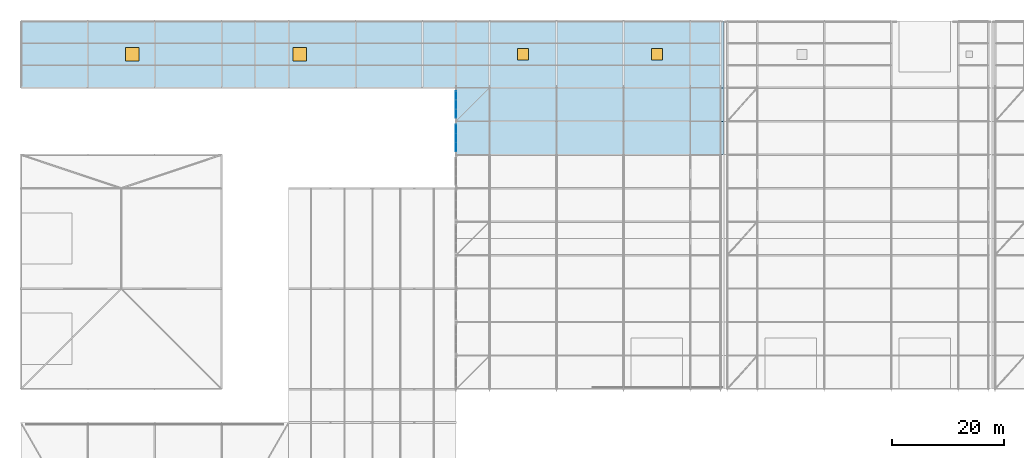
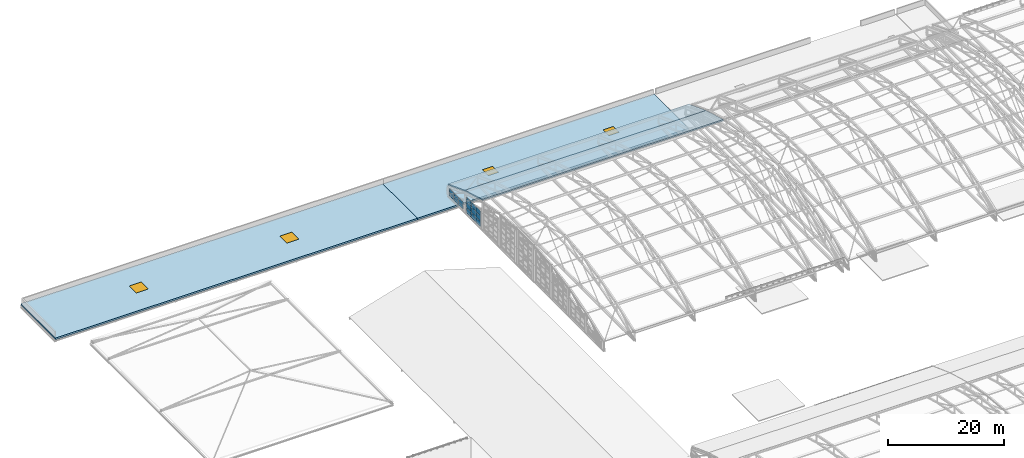
"""IFC4 building model written with IfcOpenShell, lengths in metres."""

from ifc_helpers import new_model, si_unit, direction, frame, origin, origin_2d, place, context, subcontext, project, spatial, polyline, rectangle, outline, extrude, material, layer, layer_set, type_object, element, fill, aggregate, save


model = new_model("IFC4")

# Units and contexts
model_context = context("Model", 3, precision=1e-05, world=origin(), true_north=direction((0.0, 1.0)))
body_context = subcontext(model_context, "Body", "Model", "MODEL_VIEW")
ifc_project = project(units=[si_unit("LENGTHUNIT", "METRE"), si_unit("AREAUNIT", "SQUARE_METRE"), si_unit("VOLUMEUNIT", "CUBIC_METRE"), si_unit("PLANEANGLEUNIT", "RADIAN"), si_unit("MASSUNIT", "GRAM", prefix="KILO")], contexts=[model_context])

# Site, building, storey
site_placement = place(None, origin())
site = spatial("IfcSite", under=ifc_project, at=site_placement, CompositionType="ELEMENT")
building_placement = place(site_placement, origin())
building = spatial("IfcBuilding", under=site, at=building_placement, Name="Zilviju Railside Exhibition Hall", CompositionType="ELEMENT")
storey_1_placement = place(building_placement, frame((0.0, 0.0, 21.0)))
storey_1 = spatial("IfcBuildingStorey", under=building, at=storey_1_placement, Name="RF", CompositionType="ELEMENT", Elevation=21.0)

# Curtain wall, plates
ifc_material_1 = material(Name="Thermally broken aluminium-steel triple-glazed curtain wall", Category="steel")
ifc_layer_1 = layer(ifc_material_1, 0.179931640625)
ifc_layer_set_1 = layer_set([ifc_layer_1], Name="Thermally broken aluminium-steel triple-glazed curtain wall")
curtain_wall_type_1 = type_object("IfcCurtainWallType", Name="CW-BAY-06", PredefinedType="USERDEFINED", material=ifc_layer_set_1)
curtain_wall_1_placement = place(storey_1_placement, origin())
curtain_wall_1 = element("IfcCurtainWall", 1, at=curtain_wall_1_placement, inside=storey_1, type_object=curtain_wall_type_1, Name="North Hall Arch Lower Tympanum Glazing West P8", ObjectType="GLAZED CURTAIN WALL", PredefinedType="USERDEFINED")
ifc_material_2 = material(Name="Triple-glazed low-E argon insulating glass unit", Category="glass")
ifc_layer_2 = layer(ifc_material_2, 0.0439453125)
ifc_layer_set_2 = layer_set([ifc_layer_2], Name="Triple-glazed low-E argon insulating glass unit")
plate_type = type_object("IfcPlateType", Name="CWP-IGU-44", PredefinedType="CURTAIN_PANEL", material=ifc_layer_set_2)
plate_1_placement = place(storey_1_placement, frame((78.0, 127.38037109375, -3.544921875), z_axis=(0.0, 0.0, 1.0), x_axis=(0.0, 1.0, 0.0)))
plate_1 = element("IfcPlate", 2, at=plate_1_placement, type_object=plate_type, Name="CW-06 panel 1.1", PredefinedType="CURTAIN_PANEL", context=body_context, shape_type="SweptSolid", body=[
    extrude(rectangle(XDim=1.55078125, YDim=0.0439453125, at=origin_2d()), origin(), (0.0, 0.0, 1.0), 1.050537109375),
])
plate_2_placement = place(storey_1_placement, frame((78.0, 127.38037109375, -2.439453125), z_axis=(0.0, 0.0, 1.0), x_axis=(0.0, 1.0, 0.0)))
plate_2 = element("IfcPlate", 3, at=plate_2_placement, type_object=plate_type, Name="CW-06 panel 1.2", PredefinedType="CURTAIN_PANEL", context=body_context, shape_type="SweptSolid", body=[
    extrude(rectangle(XDim=1.55078125, YDim=0.0439453125, at=origin_2d()), origin(), (0.0, 0.0, 1.0), 1.0791015625),
])
plate_3_placement = place(storey_1_placement, frame((78.0, 127.38037109375, -1.3056640625), z_axis=(0.0, 0.0, 1.0), x_axis=(0.0, 1.0, 0.0)))
plate_3 = element("IfcPlate", 4, at=plate_3_placement, type_object=plate_type, Name="CW-06 panel 1.3", PredefinedType="CURTAIN_PANEL", context=body_context, shape_type="SweptSolid", body=[
    extrude(rectangle(XDim=1.55078125, YDim=0.0439453125, at=origin_2d()), origin(), (0.0, 0.0, 1.0), 1.050537109375),
])
plate_4_placement = place(storey_1_placement, frame((78.0, 129.0, -3.544921875), z_axis=(0.0, 0.0, 1.0), x_axis=(0.0, 1.0, 0.0)))
plate_4 = element("IfcPlate", 5, at=plate_4_placement, type_object=plate_type, Name="CW-06 panel 2.1", PredefinedType="CURTAIN_PANEL", context=body_context, shape_type="SweptSolid", body=[
    extrude(rectangle(XDim=1.578369140625, YDim=0.0439453125, at=origin_2d()), origin(), (0.0, 0.0, 1.0), 1.050537109375),
])
plate_5_placement = place(storey_1_placement, frame((78.0, 129.0, -2.439453125), z_axis=(0.0, 0.0, 1.0), x_axis=(0.0, 1.0, 0.0)))
plate_5 = element("IfcPlate", 6, at=plate_5_placement, type_object=plate_type, Name="CW-06 panel 2.2", PredefinedType="CURTAIN_PANEL", context=body_context, shape_type="SweptSolid", body=[
    extrude(rectangle(XDim=1.578369140625, YDim=0.0439453125, at=origin_2d()), origin(), (0.0, 0.0, 1.0), 1.0791015625),
])
plate_6_placement = place(storey_1_placement, frame((78.0, 129.0, -1.3056640625), z_axis=(0.0, 0.0, 1.0), x_axis=(0.0, 1.0, 0.0)))
plate_6 = element("IfcPlate", 7, at=plate_6_placement, type_object=plate_type, Name="CW-06 panel 2.3", PredefinedType="CURTAIN_PANEL", context=body_context, shape_type="SweptSolid", body=[
    extrude(rectangle(XDim=1.578369140625, YDim=0.0439453125, at=origin_2d()), origin(), (0.0, 0.0, 1.0), 1.050537109375),
])
plate_7_placement = place(storey_1_placement, frame((78.0, 130.61962890625, -3.544921875), z_axis=(0.0, 0.0, 1.0), x_axis=(0.0, 1.0, 0.0)))
plate_7 = element("IfcPlate", 8, at=plate_7_placement, type_object=plate_type, Name="CW-06 panel 3.1", PredefinedType="CURTAIN_PANEL", context=body_context, shape_type="SweptSolid", body=[
    extrude(rectangle(XDim=1.55078125, YDim=0.0439453125, at=origin_2d()), origin(), (0.0, 0.0, 1.0), 1.050537109375),
])
plate_8_placement = place(storey_1_placement, frame((78.0, 130.61962890625, -2.439453125), z_axis=(0.0, 0.0, 1.0), x_axis=(0.0, 1.0, 0.0)))
plate_8 = element("IfcPlate", 9, at=plate_8_placement, type_object=plate_type, Name="CW-06 panel 3.2", PredefinedType="CURTAIN_PANEL", context=body_context, shape_type="SweptSolid", body=[
    extrude(rectangle(XDim=1.55078125, YDim=0.0439453125, at=origin_2d()), origin(), (0.0, 0.0, 1.0), 1.0791015625),
])
plate_9_placement = place(storey_1_placement, frame((78.0, 130.61962890625, -1.3056640625), z_axis=(0.0, 0.0, 1.0), x_axis=(0.0, 1.0, 0.0)))
plate_9 = element("IfcPlate", 10, at=plate_9_placement, type_object=plate_type, Name="CW-06 panel 3.3", PredefinedType="CURTAIN_PANEL", context=body_context, shape_type="SweptSolid", body=[
    extrude(rectangle(XDim=1.55078125, YDim=0.0439453125, at=origin_2d()), origin(), (0.0, 0.0, 1.0), 1.050537109375),
])
aggregate(curtain_wall_1, [plate_1, plate_2, plate_3, plate_4, plate_5, plate_6, plate_7, plate_8, plate_9])

ifc_layer_3 = layer(ifc_material_1, 0.179931640625)
ifc_layer_set_3 = layer_set([ifc_layer_3], Name="Thermally broken aluminium-steel triple-glazed curtain wall")
curtain_wall_type_2 = type_object("IfcCurtainWallType", Name="CW-BAY-07", PredefinedType="USERDEFINED", material=ifc_layer_set_3)
curtain_wall_2_placement = place(storey_1_placement, origin())
curtain_wall_2 = element("IfcCurtainWall", 11, at=curtain_wall_2_placement, inside=storey_1, type_object=curtain_wall_type_2, Name="North Hall Arch Lower Tympanum Glazing West P9", ObjectType="GLAZED CURTAIN WALL", PredefinedType="USERDEFINED")
plate_10_placement = place(storey_1_placement, frame((78.0, 133.38427734375, -3.5302734375), z_axis=(0.0, 0.0, 1.0), x_axis=(0.0, 1.0, 0.0)))
plate_10 = element("IfcPlate", 12, at=plate_10_placement, type_object=plate_type, Name="CW-07 panel 1.1", PredefinedType="CURTAIN_PANEL", context=body_context, shape_type="SweptSolid", body=[
    extrude(rectangle(XDim=1.5283203125, YDim=0.0439453125, at=origin_2d()), origin(), (0.0, 0.0, 1.0), 0.695068359375),
])
plate_11_placement = place(storey_1_placement, frame((78.0, 133.38427734375, -2.76513671875), z_axis=(0.0, 0.0, 1.0), x_axis=(0.0, 1.0, 0.0)))
plate_11 = element("IfcPlate", 13, at=plate_11_placement, type_object=plate_type, Name="CW-07 panel 1.2", PredefinedType="CURTAIN_PANEL", context=body_context, shape_type="SweptSolid", body=[
    extrude(rectangle(XDim=1.5283203125, YDim=0.0439453125, at=origin_2d()), origin(), (0.0, 0.0, 1.0), 0.695068359375),
])
plate_12_placement = place(storey_1_placement, frame((78.0, 135.0, -3.5302734375), z_axis=(0.0, 0.0, 1.0), x_axis=(0.0, 1.0, 0.0)))
plate_12 = element("IfcPlate", 14, at=plate_12_placement, type_object=plate_type, Name="CW-07 panel 2.1", PredefinedType="CURTAIN_PANEL", context=body_context, shape_type="SweptSolid", body=[
    extrude(rectangle(XDim=1.563232421875, YDim=0.0439453125, at=origin_2d()), origin(), (0.0, 0.0, 1.0), 0.695068359375),
])
plate_13_placement = place(storey_1_placement, frame((78.0, 135.0, -2.76513671875), z_axis=(0.0, 0.0, 1.0), x_axis=(0.0, 1.0, 0.0)))
plate_13 = element("IfcPlate", 15, at=plate_13_placement, type_object=plate_type, Name="CW-07 panel 2.2", PredefinedType="CURTAIN_PANEL", context=body_context, shape_type="SweptSolid", body=[
    extrude(rectangle(XDim=1.563232421875, YDim=0.0439453125, at=origin_2d()), origin(), (0.0, 0.0, 1.0), 0.695068359375),
])
plate_14_placement = place(storey_1_placement, frame((78.0, 136.61572265625, -3.5302734375), z_axis=(0.0, 0.0, 1.0), x_axis=(0.0, 1.0, 0.0)))
plate_14 = element("IfcPlate", 16, at=plate_14_placement, type_object=plate_type, Name="CW-07 panel 3.1", PredefinedType="CURTAIN_PANEL", context=body_context, shape_type="SweptSolid", body=[
    extrude(rectangle(XDim=1.5283203125, YDim=0.0439453125, at=origin_2d()), origin(), (0.0, 0.0, 1.0), 0.695068359375),
])
plate_15_placement = place(storey_1_placement, frame((78.0, 136.61572265625, -2.76513671875), z_axis=(0.0, 0.0, 1.0), x_axis=(0.0, 1.0, 0.0)))
plate_15 = element("IfcPlate", 17, at=plate_15_placement, type_object=plate_type, Name="CW-07 panel 3.2", PredefinedType="CURTAIN_PANEL", context=body_context, shape_type="SweptSolid", body=[
    extrude(rectangle(XDim=1.5283203125, YDim=0.0439453125, at=origin_2d()), origin(), (0.0, 0.0, 1.0), 0.695068359375),
])
aggregate(curtain_wall_2, [plate_10, plate_11, plate_12, plate_13, plate_14, plate_15])

# Slab, openings
ifc_material_3 = material(Name="Concrete C40/50", Category="concrete")
ifc_layer_4 = layer(ifc_material_3, 0.35009765625)
ifc_layer_set_4 = layer_set([ifc_layer_4], Name="Concrete C40/50")
slab_type_1 = type_object("IfcSlabType", Name="SL-RG-350", PredefinedType="ROOF", material=ifc_layer_set_4)
slab_1_placement = place(storey_1_placement, frame((0.0, 0.0, -6.949951171875)))
slab_1 = element("IfcSlab", 18, at=slab_1_placement, inside=storey_1, type_object=slab_type_1, Name="Logistics Wing Acoustic Green Roof Panel 1", PredefinedType="ROOF", context=body_context, shape_type="SweptSolid", body=[
    extrude(outline(polyline([(0.0, 138.0), (72.0, 138.0), (72.0, 150.0), (0.0, 150.0), (0.0, 138.0)])), origin(), (0.0, 0.0, 1.0), 0.349853515625),
])
opening_1_placement = place(slab_1_placement, frame((20.0, 144.0, 0.0)))
opening_1 = element("IfcOpeningElement", 19, at=opening_1_placement, cuts=slab_1, Name="Opening SK-01", PredefinedType="OPENING", context=body_context, shape_type="SweptSolid", body=[
    extrude(rectangle(XDim=2.39990234375, YDim=2.39990234375, at=origin_2d()), frame((0.0, 0.0, -0.010009765625)), (0.0, 0.0, 1.0), 0.369873046875),
])
opening_2_placement = place(slab_1_placement, frame((50.0, 144.0, 0.0)))
opening_2 = element("IfcOpeningElement", 20, at=opening_2_placement, cuts=slab_1, Name="Opening SK-01", PredefinedType="OPENING", context=body_context, shape_type="SweptSolid", body=[
    extrude(rectangle(XDim=2.39990234375, YDim=2.39990234375, at=origin_2d()), frame((0.0, 0.0, -0.010009765625)), (0.0, 0.0, 1.0), 0.369873046875),
])

# Storey
storey_2_placement = place(building_placement, frame((0.0, 0.0, 8.39990234375)))
storey_2 = spatial("IfcBuildingStorey", under=building, at=storey_2_placement, Name="L03", CompositionType="ELEMENT", Elevation=8.39990234375)

# Window
ifc_material_4 = material(Name="Triple-glazed timber-aluminium window unit", Category="wood")
window_type_1 = type_object("IfcWindowType", Name="SKY-SV-240x240", PartitioningType="TRIPLE_PANEL_VERTICAL", PredefinedType="SKYLIGHT", material=ifc_material_4)
window_1_placement = place(opening_1_placement, frame((0.0, 0.0, 0.289794921875)))
window_1 = element("IfcWindow", 21, at=window_1_placement, inside=storey_2, type_object=window_type_1, Name="Truck Ramp Smoke Exhaust Hatch SV-01", OverallHeight=2.39990234375, OverallWidth=2.39990234375, PartitioningType="SINGLE_PANEL", PredefinedType="SKYLIGHT", context=body_context, shape_type="SweptSolid", body=[
    extrude(rectangle(XDim=2.39990234375, YDim=2.39990234375, at=origin_2d()), origin(), (0.0, 0.0, 1.0), 0.06005859375),
])

fill(opening_1, window_1)

window_2_placement = place(opening_2_placement, frame((0.0, 0.0, 0.289794921875)))
window_2 = element("IfcWindow", 22, at=window_2_placement, inside=storey_2, type_object=window_type_1, Name="Truck Ramp Smoke Exhaust Hatch SV-02", OverallHeight=2.39990234375, OverallWidth=2.39990234375, PartitioningType="SINGLE_PANEL", PredefinedType="SKYLIGHT", context=body_context, shape_type="SweptSolid", body=[
    extrude(rectangle(XDim=2.39990234375, YDim=2.39990234375, at=origin_2d()), origin(), (0.0, 0.0, 1.0), 0.06005859375),
])

fill(opening_2, window_2)

# Slab, openings, windows
slab_2_placement = place(storey_1_placement, frame((0.0, 0.0, -6.949951171875)))
slab_2 = element("IfcSlab", 23, at=slab_2_placement, inside=storey_1, type_object=slab_type_1, Name="Logistics Wing Acoustic Green Roof Panel 2", PredefinedType="ROOF", context=body_context, shape_type="SweptSolid", body=[
    extrude(outline(polyline([(72.0, 138.0), (125.969970703125, 138.0), (125.969970703125, 150.0), (72.0, 150.0), (72.0, 138.0)])), origin(), (0.0, 0.0, 1.0), 0.349853515625),
])
opening_3_placement = place(slab_2_placement, frame((90.0, 144.0, 0.0)))
opening_3 = element("IfcOpeningElement", 24, at=opening_3_placement, cuts=slab_2, Name="Opening SK-02", PredefinedType="OPENING", context=body_context, shape_type="SweptSolid", body=[
    extrude(rectangle(XDim=2.0, YDim=2.0, at=origin_2d()), frame((0.0, 0.0, -0.010009765625)), (0.0, 0.0, 1.0), 0.369873046875),
])
opening_4_placement = place(slab_2_placement, frame((114.0, 144.0, 0.0)))
opening_4 = element("IfcOpeningElement", 25, at=opening_4_placement, cuts=slab_2, Name="Opening SK-02", PredefinedType="OPENING", context=body_context, shape_type="SweptSolid", body=[
    extrude(rectangle(XDim=2.0, YDim=2.0, at=origin_2d()), frame((0.0, 0.0, -0.010009765625)), (0.0, 0.0, 1.0), 0.369873046875),
])
window_type_2 = type_object("IfcWindowType", Name="SKY-SV-200x200", PartitioningType="DOUBLE_PANEL_VERTICAL", PredefinedType="SKYLIGHT", material=ifc_material_4)
window_3_placement = place(opening_3_placement, frame((0.0, 0.0, 0.289794921875)))
window_3 = element("IfcWindow", 26, at=window_3_placement, inside=storey_2, type_object=window_type_2, Name="Logistics Smoke Exhaust Hatch SV-03", OverallHeight=2.0, OverallWidth=2.0, PartitioningType="SINGLE_PANEL", PredefinedType="SKYLIGHT", context=body_context, shape_type="SweptSolid", body=[
    extrude(rectangle(XDim=2.0, YDim=2.0, at=origin_2d()), origin(), (0.0, 0.0, 1.0), 0.06005859375),
])
fill(opening_3, window_3)
window_4_placement = place(opening_4_placement, frame((0.0, 0.0, 0.289794921875)))
window_4 = element("IfcWindow", 27, at=window_4_placement, inside=storey_2, type_object=window_type_2, Name="Logistics Smoke Exhaust Hatch SV-04", OverallHeight=2.0, OverallWidth=2.0, PartitioningType="SINGLE_PANEL", PredefinedType="SKYLIGHT", context=body_context, shape_type="SweptSolid", body=[
    extrude(rectangle(XDim=2.0, YDim=2.0, at=origin_2d()), origin(), (0.0, 0.0, 1.0), 0.06005859375),
])
fill(opening_4, window_4)

# Roof, slabs
ifc_material_5 = material(Name="Standing-seam zinc-copper acoustic barrel roof deck", Category="steel")
ifc_layer_5 = layer(ifc_material_5, 0.239990234375)
ifc_layer_set_5 = layer_set([ifc_layer_5], Name="Standing-seam zinc-copper acoustic barrel roof deck")
roof_type = type_object("IfcRoofType", Name="ROOF-BARREL-ZINC", PredefinedType="BARREL_ROOF", material=ifc_layer_set_5)
roof_placement = place(storey_1_placement, origin())
roof = element("IfcRoof", 28, at=roof_placement, inside=storey_1, type_object=roof_type, Name="V2 Standing-Seam Barrel Vault Roof Block 1", PredefinedType="BARREL_ROOF")
ifc_material_6 = material(Name="Concrete C35/45", Category="concrete")
ifc_layer_6 = layer(ifc_material_6, 0.239990234375)
ifc_layer_set_6 = layer_set([ifc_layer_6], Name="Concrete C35/45")
slab_type_2 = type_object("IfcSlabType", Name="SL-ROOF-240", PredefinedType="ROOF", material=ifc_layer_set_6)
slab_3_placement = place(storey_1_placement, frame((78.0, 126.02490234375, 2.53759765625), z_axis=(0.0, 0.275317695381, 0.961353299578), x_axis=(1.0, 0.0, 0.0)))
slab_3 = element("IfcSlab", 29, at=slab_3_placement, type_object=slab_type_2, Name="V2 Barrel Vault Roof Deck B1.9", PredefinedType="ROOF", context=body_context, shape_type="SweptSolid", body=[
    extrude(outline(polyline([(0.0, 0.0), (47.969970703125, 0.0), (47.969970703125, 6.2152984328136895), (0.0, 6.2152984328136895), (0.0, 0.0)])), origin(), (0.0, 0.0, -1.0), 0.239990234375),
])
slab_4_placement = place(storey_1_placement, frame((78.0, 132.0, 0.826416015625), z_axis=(0.0, 0.35678239229, 0.934187521086), x_axis=(1.0, 0.0, 0.0)))
slab_4 = element("IfcSlab", 30, at=slab_4_placement, type_object=slab_type_2, Name="V2 Barrel Vault Roof Deck B1.10", PredefinedType="ROOF", context=body_context, shape_type="SweptSolid", body=[
    extrude(outline(polyline([(0.0, 0.0), (47.969970703125, 0.0), (47.969970703125, 6.422693372126603), (0.0, 6.422693372126603), (0.0, 0.0)])), origin(), (0.0, 0.0, -1.0), 0.239990234375),
])
aggregate(roof, [slab_3, slab_4])

save(model, "model.ifc")
